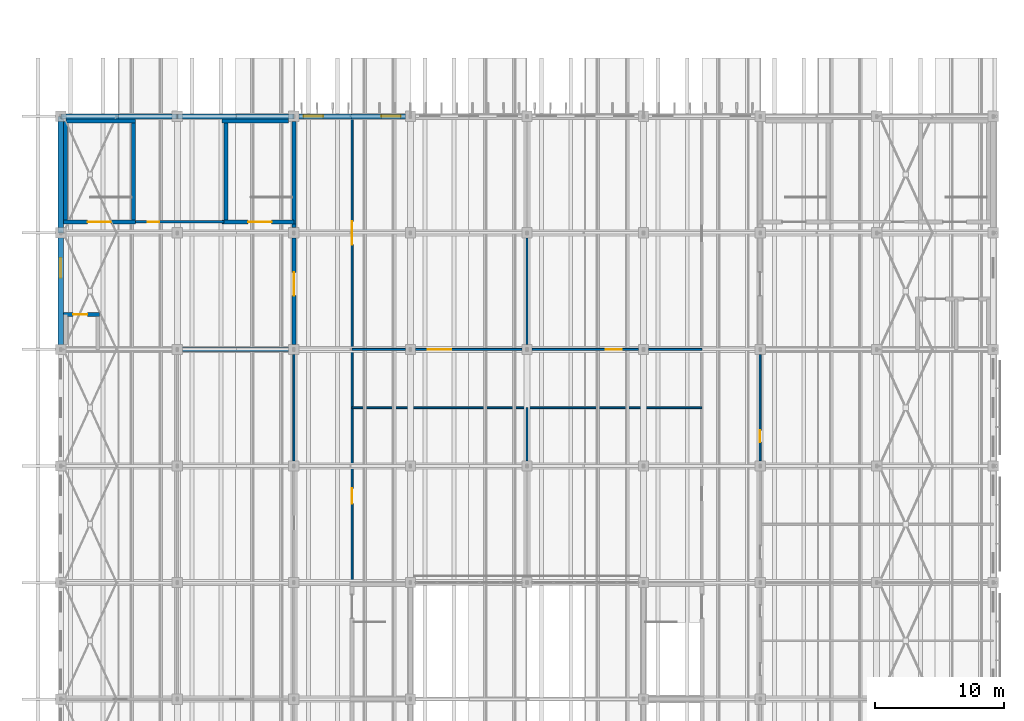
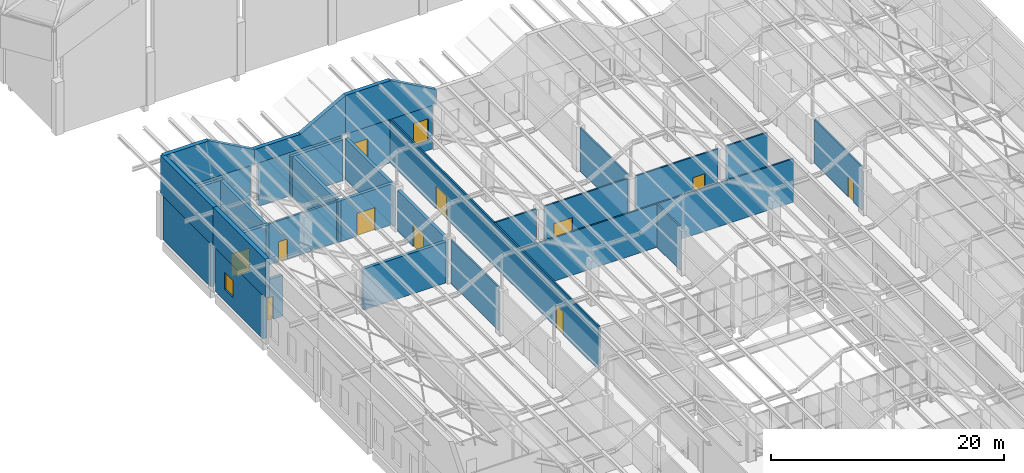
# One storey, part 268 of 437: 33 walls, 10 doors, 3 windows, 13 openings.
"""IFC4 building model written with IfcOpenShell, lengths in metres."""

from ifc_helpers import new_model, si_unit, direction, frame, frame_2d, origin, place, context, subcontext, project, spatial, polyline, rectangle, outline, extrude, material, layer, layer_set, type_object, element, fill, save


model = new_model("IFC4")

# Units and contexts
model_context = context("Model", 3, precision=1e-05, world=origin(), true_north=direction((0.0, 1.0)))
body_context = subcontext(model_context, "Body", "Model", "MODEL_VIEW")
ifc_project = project(units=[si_unit("LENGTHUNIT", "METRE"), si_unit("AREAUNIT", "SQUARE_METRE"), si_unit("VOLUMEUNIT", "CUBIC_METRE"), si_unit("PLANEANGLEUNIT", "RADIAN"), si_unit("MASSUNIT", "GRAM", prefix="KILO")], contexts=[model_context])

# Site, building, storey
site_placement = place(None, origin())
site = spatial("IfcSite", under=ifc_project, at=site_placement, CompositionType="ELEMENT")
building_placement = place(site_placement, origin())
building = spatial("IfcBuilding", under=site, at=building_placement, Name="Opaline Strait Convention Centre", CompositionType="ELEMENT")
storey_placement = place(building_placement, frame((0.0, 0.0, 11.5)))
storey = spatial("IfcBuildingStorey", under=building, at=storey_placement, Name="L02", CompositionType="ELEMENT", Elevation=11.5)

# Wall, opening, door
ifc_material_1 = material(Name="Gypsum board on metal studs with mineral wool")
ifc_layer_1 = layer(ifc_material_1, 0.199951171875)
ifc_layer_set_1 = layer_set([ifc_layer_1], Name="Gypsum board on metal studs with mineral wool")
wall_type_1 = type_object("IfcWallType", Name="Fire partition 200", PredefinedType="PARTITIONING", material=ifc_layer_set_1)
wall_1_placement = place(storey_placement, frame((14.75, 90.85009765625, 0.0), z_axis=(0.0, 0.0, 1.0), x_axis=(1.0, 0.0, 0.0)))
wall_1 = element("IfcWall", 1, at=wall_1_placement, inside=storey, type_object=wall_type_1, Name="NW core STORE-N wall", PredefinedType="PARTITIONING", context=body_context, shape_type="SweptSolid", body=[
    extrude(rectangle(XDim=6.85009765625, YDim=0.199951171875, at=frame_2d((3.425048828125, 0.0))), origin(), (0.0, 0.0, 1.0), 4.300048828125),
])
opening_1_placement = place(wall_1_placement, frame((0.949951171875, 0.0, 0.0)))
opening_1 = element("IfcOpeningElement", 2, at=opening_1_placement, cuts=wall_1, Name="Opening R2-014", PredefinedType="OPENING", context=body_context, shape_type="SweptSolid", body=[
    extrude(rectangle(XDim=0.89990234375, YDim=2.10009765625, at=frame_2d((0.449951171875, 1.050048828125))), frame((0.0, 0.10986328125, 0.0), z_axis=(0.0, -1.0, 0.0), x_axis=(1.0, 0.0, 0.0)), (0.0, 0.0, 1.0), 0.219970703125),
])
ifc_material_2 = material(Name="Galvanised steel door leaf", Category="steel")
door_type_1 = type_object("IfcDoorType", Name="Services store door 900x2100 FD60", OperationType="SINGLE_SWING_LEFT", PredefinedType="DOOR", material=ifc_material_2)
door_1_placement = place(opening_1_placement, frame((0.89990234375, 0.0, 0.0), z_axis=(0.0, 0.0, 1.0), x_axis=(-1.0, 0.0, 0.0)))
door_1 = element("IfcDoor", 3, at=door_1_placement, inside=storey, type_object=door_type_1, Name="Services store door NW R2-014", ObjectType="RD8", OperationType="SINGLE_SWING_LEFT", OverallHeight=2.10009765625, OverallWidth=0.89990234375, PredefinedType="DOOR", context=body_context, shape_type="SweptSolid", body=[
    extrude(rectangle(XDim=0.89990234375, YDim=2.10009765625, at=frame_2d((0.449951171875, 1.050048828125))), frame((0.0, 0.02490234375, 0.0), z_axis=(0.0, -1.0, 0.0), x_axis=(1.0, 0.0, 0.0)), (0.0, 0.0, 1.0), 0.050048828125),
])
fill(opening_1, door_1)

# Walls
ifc_layer_2 = layer(ifc_material_1, 0.14990234375)
ifc_layer_set_2 = layer_set([ifc_layer_2], Name="Gypsum board on metal studs with mineral wool")
wall_type_2 = type_object("IfcWallType", Name="Partition 150", PredefinedType="PARTITIONING", material=ifc_layer_set_2)
wall_2_placement = place(storey_placement, frame((31.5, 76.5, 0.0), z_axis=(0.0, 0.0, 1.0), x_axis=(1.0, 0.0, 0.0)))
element("IfcWall", 4, at=wall_2_placement, inside=storey, type_object=wall_type_2, Name="L02 partition", PredefinedType="PARTITIONING", context=body_context, shape_type="SweptSolid", body=[
    extrude(rectangle(XDim=27.0, YDim=0.14990234375, at=frame_2d((13.5, 0.0))), origin(), (0.0, 0.0, 1.0), 4.550048828125),
])
wall_3_placement = place(storey_placement, frame((31.5, 81.0, 0.0), z_axis=(0.0, 0.0, 1.0), x_axis=(1.0, 0.0, 0.0)))
element("IfcWall", 5, at=wall_3_placement, inside=storey, type_object=wall_type_2, Name="L02 partition", PredefinedType="PARTITIONING", context=body_context, shape_type="SweptSolid", body=[
    extrude(rectangle(XDim=4.10009765625, YDim=0.14990234375, at=frame_2d((2.050048828125, 0.0))), origin(), (0.0, 0.0, 1.0), 4.550048828125),
])

# Wall, opening, door
wall_4_placement = place(storey_placement, frame((36.39990234375, 81.0, 0.0), z_axis=(0.0, 0.0, 1.0), x_axis=(1.0, 0.0, 0.0)))
wall_4 = element("IfcWall", 6, at=wall_4_placement, inside=storey, type_object=wall_type_2, Name="L02 partition", PredefinedType="PARTITIONING", context=body_context, shape_type="SweptSolid", body=[
    extrude(rectangle(XDim=8.2001953125, YDim=0.14990234375, at=frame_2d((4.10009765625, 0.0))), origin(), (0.0, 0.0, 1.0), 4.550048828125),
])
opening_2_placement = place(wall_4_placement, frame((0.949951171875, 0.0, 0.0)))
opening_2 = element("IfcOpeningElement", 7, at=opening_2_placement, cuts=wall_4, Name="Opening R2-037", PredefinedType="OPENING", context=body_context, shape_type="SweptSolid", body=[
    extrude(rectangle(XDim=1.800048828125, YDim=2.39990234375, at=frame_2d((0.89990234375, 1.199951171875))), frame((0.0, 0.0849609375, 0.0), z_axis=(0.0, -1.0, 0.0), x_axis=(1.0, 0.0, 0.0)), (0.0, 0.0, 1.0), 0.169921875),
])
ifc_material_3 = material(Name="Timber door leaves in steel frame", Category="steel")
door_type_2 = type_object("IfcDoorType", Name="Door 1800x2400 double FD30", OperationType="DOUBLE_DOOR_SINGLE_SWING", PredefinedType="DOOR", material=ifc_material_3)
door_2_placement = place(opening_2_placement, frame((1.800048828125, 0.0, 0.0), z_axis=(0.0, 0.0, 1.0), x_axis=(-1.0, 0.0, 0.0)))
door_2 = element("IfcDoor", 8, at=door_2_placement, inside=storey, type_object=door_type_2, Name="Business Centre Lounge door R2-037", ObjectType="RD2", OperationType="DOUBLE_DOOR_SINGLE_SWING", OverallHeight=2.39990234375, OverallWidth=1.800048828125, PredefinedType="DOOR", context=body_context, shape_type="SweptSolid", body=[
    extrude(rectangle(XDim=1.800048828125, YDim=2.39990234375, at=frame_2d((0.89990234375, 1.199951171875))), frame((0.0, 0.02490234375, 0.0), z_axis=(0.0, -1.0, 0.0), x_axis=(1.0, 0.0, 0.0)), (0.0, 0.0, 1.0), 0.050048828125),
])
fill(opening_2, door_2)

wall_5_placement = place(storey_placement, frame((45.39990234375, 81.0, 0.0), z_axis=(0.0, 0.0, 1.0), x_axis=(1.0, 0.0, 0.0)))
wall_5 = element("IfcWall", 9, at=wall_5_placement, inside=storey, type_object=wall_type_2, Name="L02 partition", PredefinedType="PARTITIONING", context=body_context, shape_type="SweptSolid", body=[
    extrude(rectangle(XDim=8.2001953125, YDim=0.14990234375, at=frame_2d((4.10009765625, 0.0))), origin(), (0.0, 0.0, 1.0), 4.550048828125),
])
opening_3_placement = place(wall_5_placement, frame((5.699951171875, 0.0, 0.0)))
opening_3 = element("IfcOpeningElement", 10, at=opening_3_placement, cuts=wall_5, Name="Opening R2-039", PredefinedType="OPENING", context=body_context, shape_type="SweptSolid", body=[
    extrude(rectangle(XDim=1.199951171875, YDim=2.39990234375, at=frame_2d((0.60009765625, 1.199951171875))), frame((0.0, 0.0849609375, 0.0), z_axis=(0.0, -1.0, 0.0), x_axis=(1.0, 0.0, 0.0)), (0.0, 0.0, 1.0), 0.169921875),
])
ifc_material_4 = material(Name="Timber door leaf in steel frame", Category="steel")
door_type_3 = type_object("IfcDoorType", Name="Meeting room door 1200x2400 FD30", OperationType="SINGLE_SWING_LEFT", PredefinedType="DOOR", material=ifc_material_4)
door_3_placement = place(opening_3_placement, frame((1.199951171875, 0.0, 0.0), z_axis=(0.0, 0.0, 1.0), x_axis=(-1.0, 0.0, 0.0)))
door_3 = element("IfcDoor", 11, at=door_3_placement, inside=storey, type_object=door_type_3, Name="Meeting Suite 2.03 door R2-039", ObjectType="RD14", OperationType="SINGLE_SWING_LEFT", OverallHeight=2.39990234375, OverallWidth=1.199951171875, PredefinedType="DOOR", context=body_context, shape_type="SweptSolid", body=[
    extrude(rectangle(XDim=1.199951171875, YDim=2.39990234375, at=frame_2d((0.60009765625, 1.199951171875))), frame((0.0, 0.02490234375, 0.0), z_axis=(0.0, -1.0, 0.0), x_axis=(1.0, 0.0, 0.0)), (0.0, 0.0, 1.0), 0.050048828125),
])
fill(opening_3, door_3)

# Walls
wall_6_placement = place(storey_placement, frame((54.39990234375, 81.0, 0.0), z_axis=(0.0, 0.0, 1.0), x_axis=(1.0, 0.0, 0.0)))
element("IfcWall", 12, at=wall_6_placement, inside=storey, type_object=wall_type_2, Name="L02 partition", PredefinedType="PARTITIONING", context=body_context, shape_type="SweptSolid", body=[
    extrude(rectangle(XDim=4.10009765625, YDim=0.14990234375, at=frame_2d((2.050048828125, 0.0))), origin(), (0.0, 0.0, 1.0), 4.550048828125),
])
wall_7_placement = place(storey_placement, frame((27.0, 72.39990234375, 0.0), z_axis=(0.0, 0.0, 1.0), x_axis=(0.0, 1.0, 0.0)))
element("IfcWall", 13, at=wall_7_placement, inside=storey, type_object=wall_type_2, Name="L02 partition", PredefinedType="PARTITIONING", context=body_context, shape_type="SweptSolid", body=[
    extrude(rectangle(XDim=8.2001953125, YDim=0.14990234375, at=frame_2d((4.10009765625, 0.0))), origin(), (0.0, 0.0, 1.0), 4.550048828125),
])

# Wall, openings, doors
wall_8_placement = place(storey_placement, frame((31.5, 63.0, 0.0), z_axis=(0.0, 0.0, 1.0), x_axis=(0.0, 1.0, 0.0)))
wall_8 = element("IfcWall", 14, at=wall_8_placement, inside=storey, type_object=wall_type_2, Name="L02 partition", PredefinedType="PARTITIONING", context=body_context, shape_type="SweptSolid", body=[
    extrude(rectangle(XDim=36.0, YDim=0.14990234375, at=frame_2d((18.0, 0.0))), origin(), (0.0, 0.0, 1.0), 4.550048828125),
])
opening_4_placement = place(wall_8_placement, frame((6.10009765625, 0.0, 0.0)))
opening_4 = element("IfcOpeningElement", 15, at=opening_4_placement, cuts=wall_8, Name="Opening R2-034", PredefinedType="OPENING", context=body_context, shape_type="SweptSolid", body=[
    extrude(rectangle(XDim=1.199951171875, YDim=2.39990234375, at=frame_2d((0.60009765625, 1.199951171875))), frame((0.0, 0.0849609375, 0.0), z_axis=(0.0, -1.0, 0.0), x_axis=(1.0, 0.0, 0.0)), (0.0, 0.0, 1.0), 0.169921875),
])
opening_5_placement = place(wall_8_placement, frame((26.10009765625, 0.0, 0.0)))
opening_5 = element("IfcOpeningElement", 16, at=opening_5_placement, cuts=wall_8, Name="Opening R2-036", PredefinedType="OPENING", context=body_context, shape_type="SweptSolid", body=[
    extrude(rectangle(XDim=1.800048828125, YDim=2.39990234375, at=frame_2d((0.89990234375, 1.199951171875))), frame((0.0, 0.0849609375, 0.0), z_axis=(0.0, -1.0, 0.0), x_axis=(1.0, 0.0, 0.0)), (0.0, 0.0, 1.0), 0.169921875),
])
door_4_placement = place(opening_5_placement, origin())
door_4 = element("IfcDoor", 17, at=door_4_placement, inside=storey, type_object=door_type_2, Name="Business Centre Lounge door R2-036", ObjectType="RD2", OperationType="DOUBLE_DOOR_SINGLE_SWING", OverallHeight=2.39990234375, OverallWidth=1.800048828125, PredefinedType="DOOR", context=body_context, shape_type="SweptSolid", body=[
    extrude(rectangle(XDim=1.800048828125, YDim=2.39990234375, at=frame_2d((0.89990234375, 1.199951171875))), frame((0.0, 0.02490234375, 0.0), z_axis=(0.0, -1.0, 0.0), x_axis=(1.0, 0.0, 0.0)), (0.0, 0.0, 1.0), 0.050048828125),
])
fill(opening_5, door_4)
door_5_placement = place(opening_4_placement, origin())
door_5 = element("IfcDoor", 18, at=door_5_placement, inside=storey, type_object=door_type_3, Name="Press Centre door R2-034", ObjectType="RD14", OperationType="SINGLE_SWING_LEFT", OverallHeight=2.39990234375, OverallWidth=1.199951171875, PredefinedType="DOOR", context=body_context, shape_type="SweptSolid", body=[
    extrude(rectangle(XDim=1.199951171875, YDim=2.39990234375, at=frame_2d((0.60009765625, 1.199951171875))), frame((0.0, 0.02490234375, 0.0), z_axis=(0.0, -1.0, 0.0), x_axis=(1.0, 0.0, 0.0)), (0.0, 0.0, 1.0), 0.050048828125),
])
fill(opening_4, door_5)

# Walls
wall_9_placement = place(storey_placement, frame((45.0, 72.39990234375, 0.0), z_axis=(0.0, 0.0, 1.0), x_axis=(0.0, 1.0, 0.0)))
element("IfcWall", 19, at=wall_9_placement, inside=storey, type_object=wall_type_2, Name="L02 partition", PredefinedType="PARTITIONING", context=body_context, shape_type="SweptSolid", body=[
    extrude(rectangle(XDim=4.10009765625, YDim=0.14990234375, at=frame_2d((2.050048828125, 0.0))), origin(), (0.0, 0.0, 1.0), 4.550048828125),
])
wall_10_placement = place(storey_placement, frame((45.0, 81.39990234375, 0.0), z_axis=(0.0, 0.0, 1.0), x_axis=(0.0, 1.0, 0.0)))
element("IfcWall", 20, at=wall_10_placement, inside=storey, type_object=wall_type_2, Name="L02 partition", PredefinedType="PARTITIONING", context=body_context, shape_type="SweptSolid", body=[
    extrude(rectangle(XDim=8.2001953125, YDim=0.14990234375, at=frame_2d((4.10009765625, 0.0))), origin(), (0.0, 0.0, 1.0), 4.550048828125),
])

# Wall, opening, door
wall_11_placement = place(storey_placement, frame((63.0, 72.39990234375, 0.0), z_axis=(0.0, 0.0, 1.0), x_axis=(0.0, 1.0, 0.0)))
wall_11 = element("IfcWall", 21, at=wall_11_placement, inside=storey, type_object=wall_type_2, Name="L02 partition", PredefinedType="PARTITIONING", context=body_context, shape_type="SweptSolid", body=[
    extrude(rectangle(XDim=8.2001953125, YDim=0.14990234375, at=frame_2d((4.10009765625, 0.0))), origin(), (0.0, 0.0, 1.0), 4.550048828125),
])
opening_6_placement = place(wall_11_placement, frame((1.449951171875, 0.0, 0.0)))
opening_6 = element("IfcOpeningElement", 22, at=opening_6_placement, cuts=wall_11, Name="Opening R2-052", PredefinedType="OPENING", context=body_context, shape_type="SweptSolid", body=[
    extrude(rectangle(XDim=0.89990234375, YDim=2.10009765625, at=frame_2d((0.449951171875, 1.050048828125))), frame((0.0, 0.0849609375, 0.0), z_axis=(0.0, -1.0, 0.0), x_axis=(1.0, 0.0, 0.0)), (0.0, 0.0, 1.0), 0.169921875),
])
door_type_4 = type_object("IfcDoorType", Name="Store door 900x2100 FD30", OperationType="SINGLE_SWING_LEFT", PredefinedType="DOOR", material=ifc_material_4)
door_6_placement = place(opening_6_placement, origin())
door_6 = element("IfcDoor", 23, at=door_6_placement, inside=storey, type_object=door_type_4, Name="Business Centre Store door R2-052", ObjectType="RD5", OperationType="SINGLE_SWING_LEFT", OverallHeight=2.10009765625, OverallWidth=0.89990234375, PredefinedType="DOOR", context=body_context, shape_type="SweptSolid", body=[
    extrude(rectangle(XDim=0.89990234375, YDim=2.10009765625, at=frame_2d((0.449951171875, 1.050048828125))), frame((0.0, 0.02490234375, 0.0), z_axis=(0.0, -1.0, 0.0), x_axis=(1.0, 0.0, 0.0)), (0.0, 0.0, 1.0), 0.050048828125),
])
fill(opening_6, door_6)

# Wall
ifc_material_5 = material(Name="Concrete C40", Category="concrete")
ifc_layer_3 = layer(ifc_material_5, 0.300048828125)
ifc_layer_set_3 = layer_set([ifc_layer_3], Name="Concrete C40")
wall_type_3 = type_object("IfcWallType", Name="RC wall 300 C40", PredefinedType="SOLIDWALL", material=ifc_layer_set_3)
wall_12_placement = place(storey_placement, frame((9.39990234375, 98.64990234375, 0.0), z_axis=(0.0, 0.0, 1.0), x_axis=(1.0, 0.0, 0.0)))
element("IfcWall", 24, at=wall_12_placement, inside=storey, type_object=wall_type_3, Name="NW core STA-S wall", PredefinedType="SOLIDWALL", context=body_context, shape_type="SweptSolid", body=[
    extrude(rectangle(XDim=5.35009765625, YDim=0.300048828125, at=frame_2d((2.675048828125, 0.0))), origin(), (0.0, 0.0, 1.0), 4.300048828125),
])

# Wall, opening, door
wall_13_placement = place(storey_placement, frame((9.199951171875, 90.85009765625, 0.0), z_axis=(0.0, 0.0, 1.0), x_axis=(1.0, 0.0, 0.0)))
wall_13 = element("IfcWall", 25, at=wall_13_placement, inside=storey, type_object=wall_type_3, Name="NW core STA-N wall", PredefinedType="SOLIDWALL", context=body_context, shape_type="SweptSolid", body=[
    extrude(rectangle(XDim=5.550048828125, YDim=0.300048828125, at=frame_2d((2.77490234375, 0.0))), origin(), (0.0, 0.0, 1.0), 4.300048828125),
])
opening_7_placement = place(wall_13_placement, frame((1.875, 0.0, 0.0)))
opening_7 = element("IfcOpeningElement", 26, at=opening_7_placement, cuts=wall_13, Name="Opening R2-012", PredefinedType="OPENING", context=body_context, shape_type="SweptSolid", body=[
    extrude(rectangle(XDim=1.800048828125, YDim=2.39990234375, at=frame_2d((0.89990234375, 1.199951171875))), frame((0.0, 0.159912109375, 0.0), z_axis=(0.0, -1.0, 0.0), x_axis=(1.0, 0.0, 0.0)), (0.0, 0.0, 1.0), 0.320068359375),
])
door_type_5 = type_object("IfcDoorType", Name="Stair door 1800x2400 double FD60", OperationType="DOUBLE_DOOR_SINGLE_SWING", PredefinedType="DOOR", material=ifc_material_3)
door_7_placement = place(opening_7_placement, frame((1.800048828125, 0.0, 0.0), z_axis=(0.0, 0.0, 1.0), x_axis=(-1.0, 0.0, 0.0)))
door_7 = element("IfcDoor", 27, at=door_7_placement, inside=storey, type_object=door_type_5, Name="Stair door NWA R2-012", ObjectType="RD7", OperationType="DOUBLE_DOOR_SINGLE_SWING", OverallHeight=2.39990234375, OverallWidth=1.800048828125, PredefinedType="DOOR", context=body_context, shape_type="SweptSolid", body=[
    extrude(rectangle(XDim=1.800048828125, YDim=2.39990234375, at=frame_2d((0.89990234375, 1.199951171875))), frame((0.0, 0.02490234375, 0.0), z_axis=(0.0, -1.0, 0.0), x_axis=(1.0, 0.0, 0.0)), (0.0, 0.0, 1.0), 0.050048828125),
])
fill(opening_7, door_7)

# Walls
wall_14_placement = place(storey_placement, frame((9.35009765625, 98.60009765625, 0.0), z_axis=(0.0, 0.0, 1.0), x_axis=(0.0, -1.0, 0.0)))
element("IfcWall", 28, at=wall_14_placement, inside=storey, type_object=wall_type_3, Name="NW core STA-W wall", PredefinedType="SOLIDWALL", context=body_context, shape_type="SweptSolid", body=[
    extrude(rectangle(XDim=7.900146484375, YDim=0.300048828125, at=frame_2d((3.9501953125, 0.0))), origin(), (0.0, 0.0, 1.0), 4.300048828125),
])
wall_15_placement = place(storey_placement, frame((14.60009765625, 98.800048828125, 0.0), z_axis=(0.0, 0.0, 1.0), x_axis=(0.0, -1.0, 0.0)))
element("IfcWall", 29, at=wall_15_placement, inside=storey, type_object=wall_type_3, Name="NW core STA-E wall", PredefinedType="SOLIDWALL", context=body_context, shape_type="SweptSolid", body=[
    extrude(rectangle(XDim=8.10009765625, YDim=0.300048828125, at=frame_2d((4.050048828125, 0.0))), origin(), (0.0, 0.0, 1.0), 4.300048828125),
])
wall_16_placement = place(storey_placement, frame((21.449951171875, 98.64990234375, 0.0), z_axis=(0.0, 0.0, 1.0), x_axis=(1.0, 0.0, 0.0)))
element("IfcWall", 30, at=wall_16_placement, inside=storey, type_object=wall_type_3, Name="NW core STB-S wall", PredefinedType="SOLIDWALL", context=body_context, shape_type="SweptSolid", body=[
    extrude(rectangle(XDim=5.150146484375, YDim=0.300048828125, at=frame_2d((2.5751953125, 0.0))), origin(), (0.0, 0.0, 1.0), 4.300048828125),
])

# Wall, opening, door
wall_17_placement = place(storey_placement, frame((21.449951171875, 90.85009765625, 0.0), z_axis=(0.0, 0.0, 1.0), x_axis=(1.0, 0.0, 0.0)))
wall_17 = element("IfcWall", 31, at=wall_17_placement, inside=storey, type_object=wall_type_3, Name="NW core STB-N wall", PredefinedType="SOLIDWALL", context=body_context, shape_type="SweptSolid", body=[
    extrude(rectangle(XDim=5.550048828125, YDim=0.300048828125, at=frame_2d((2.77490234375, 0.0))), origin(), (0.0, 0.0, 1.0), 4.300048828125),
])
opening_8_placement = place(wall_17_placement, frame((2.02490234375, 0.0, 0.0)))
opening_8 = element("IfcOpeningElement", 32, at=opening_8_placement, cuts=wall_17, Name="Opening R2-013", PredefinedType="OPENING", context=body_context, shape_type="SweptSolid", body=[
    extrude(rectangle(XDim=1.800048828125, YDim=2.39990234375, at=frame_2d((0.89990234375, 1.199951171875))), frame((0.0, 0.159912109375, 0.0), z_axis=(0.0, -1.0, 0.0), x_axis=(1.0, 0.0, 0.0)), (0.0, 0.0, 1.0), 0.320068359375),
])
door_8_placement = place(opening_8_placement, frame((1.800048828125, 0.0, 0.0), z_axis=(0.0, 0.0, 1.0), x_axis=(-1.0, 0.0, 0.0)))
door_8 = element("IfcDoor", 33, at=door_8_placement, inside=storey, type_object=door_type_5, Name="Stair door NWB R2-013", ObjectType="RD7", OperationType="DOUBLE_DOOR_SINGLE_SWING", OverallHeight=2.39990234375, OverallWidth=1.800048828125, PredefinedType="DOOR", context=body_context, shape_type="SweptSolid", body=[
    extrude(rectangle(XDim=1.800048828125, YDim=2.39990234375, at=frame_2d((0.89990234375, 1.199951171875))), frame((0.0, 0.02490234375, 0.0), z_axis=(0.0, -1.0, 0.0), x_axis=(1.0, 0.0, 0.0)), (0.0, 0.0, 1.0), 0.050048828125),
])
fill(opening_8, door_8)

# Walls
wall_18_placement = place(storey_placement, frame((21.75, 98.800048828125, 0.0), z_axis=(0.0, 0.0, 1.0), x_axis=(0.0, -1.0, 0.0)))
element("IfcWall", 34, at=wall_18_placement, inside=storey, type_object=wall_type_3, Name="NW core STB-W wall", PredefinedType="SOLIDWALL", context=body_context, shape_type="SweptSolid", body=[
    extrude(rectangle(XDim=8.10009765625, YDim=0.300048828125, at=frame_2d((4.050048828125, 0.0))), origin(), (0.0, 0.0, 1.0), 4.300048828125),
])
wall_19_placement = place(storey_placement, frame((27.0, 98.60009765625, 0.0), z_axis=(0.0, 0.0, 1.0), x_axis=(0.0, -1.0, 0.0)))
element("IfcWall", 35, at=wall_19_placement, inside=storey, type_object=wall_type_3, Name="NW core STB-E wall", PredefinedType="SOLIDWALL", context=body_context, shape_type="SweptSolid", body=[
    extrude(rectangle(XDim=7.900146484375, YDim=0.300048828125, at=frame_2d((3.9501953125, 0.0))), origin(), (0.0, 0.0, 1.0), 4.300048828125),
])
wall_20_placement = place(storey_placement, frame((18.39990234375, 81.0, 0.0), z_axis=(0.0, 0.0, 1.0), x_axis=(1.0, 0.0, 0.0)))
element("IfcWall", 36, at=wall_20_placement, inside=storey, type_object=wall_type_3, Name="NW core BND-N wall", PredefinedType="SOLIDWALL", context=body_context, shape_type="SweptSolid", body=[
    extrude(rectangle(XDim=8.2001953125, YDim=0.300048828125, at=frame_2d((4.10009765625, 0.0))), origin(), (0.0, 0.0, 1.0), 4.300048828125),
])

# Wall, opening, door
wall_21_placement = place(storey_placement, frame((27.0, 89.60009765625, 0.0), z_axis=(0.0, 0.0, 1.0), x_axis=(0.0, -1.0, 0.0)))
wall_21 = element("IfcWall", 37, at=wall_21_placement, inside=storey, type_object=wall_type_3, Name="NW core BND-E wall", PredefinedType="SOLIDWALL", context=body_context, shape_type="SweptSolid", body=[
    extrude(rectangle(XDim=8.2001953125, YDim=0.300048828125, at=frame_2d((4.10009765625, 0.0))), origin(), (0.0, 0.0, 1.0), 4.300048828125),
])
opening_9_placement = place(wall_21_placement, frame((2.64990234375, 0.0, 0.0)))
opening_9 = element("IfcOpeningElement", 38, at=opening_9_placement, cuts=wall_21, Name="Opening R2-015", PredefinedType="OPENING", context=body_context, shape_type="SweptSolid", body=[
    extrude(rectangle(XDim=1.800048828125, YDim=2.39990234375, at=frame_2d((0.89990234375, 1.199951171875))), frame((0.0, 0.159912109375, 0.0), z_axis=(0.0, -1.0, 0.0), x_axis=(1.0, 0.0, 0.0)), (0.0, 0.0, 1.0), 0.320068359375),
])
door_type_6 = type_object("IfcDoorType", Name="Door 1800x2400 double FD60", OperationType="DOUBLE_DOOR_SINGLE_SWING", PredefinedType="DOOR", material=ifc_material_3)
door_9_placement = place(opening_9_placement, origin())
door_9 = element("IfcDoor", 39, at=door_9_placement, inside=storey, type_object=door_type_6, Name="Core lobby door NW R2-015", ObjectType="RD9", OperationType="DOUBLE_DOOR_SINGLE_SWING", OverallHeight=2.39990234375, OverallWidth=1.800048828125, PredefinedType="DOOR", context=body_context, shape_type="SweptSolid", body=[
    extrude(rectangle(XDim=1.800048828125, YDim=2.39990234375, at=frame_2d((0.89990234375, 1.199951171875))), frame((0.0, 0.02490234375, 0.0), z_axis=(0.0, -1.0, 0.0), x_axis=(1.0, 0.0, 0.0)), (0.0, 0.0, 1.0), 0.050048828125),
])
fill(opening_9, door_9)

# Wall
wall_22_placement = place(storey_placement, frame((27.0, 90.699951171875, 0.0), z_axis=(0.0, 0.0, 1.0), x_axis=(0.0, -1.0, 0.0)))
element("IfcWall", 40, at=wall_22_placement, inside=storey, type_object=wall_type_3, Name="NW core BND-E wall", PredefinedType="SOLIDWALL", context=body_context, shape_type="SweptSolid", body=[
    extrude(rectangle(XDim=0.300048828125, YDim=0.300048828125, at=frame_2d((0.14990234375, 0.0))), origin(), (0.0, 0.0, 1.0), 4.300048828125),
])

# Wall, opening, door
wall_23_placement = place(storey_placement, frame((9.199951171875, 83.699951171875, 0.0), z_axis=(0.0, 0.0, 1.0), x_axis=(1.0, 0.0, 0.0)))
wall_23 = element("IfcWall", 41, at=wall_23_placement, inside=storey, type_object=wall_type_3, Name="NW core LIFT-S wall", PredefinedType="SOLIDWALL", context=body_context, shape_type="SweptSolid", body=[
    extrude(rectangle(XDim=2.800048828125, YDim=0.300048828125, at=frame_2d((1.39990234375, 0.0))), origin(), (0.0, 0.0, 1.0), 4.300048828125),
])
opening_10_placement = place(wall_23_placement, frame((0.75, 0.0, 0.0)))
opening_10 = element("IfcOpeningElement", 42, at=opening_10_placement, cuts=wall_23, Name="Opening R2-016", PredefinedType="OPENING", context=body_context, shape_type="SweptSolid", body=[
    extrude(rectangle(XDim=1.10009765625, YDim=2.39990234375, at=frame_2d((0.550048828125, 1.199951171875))), frame((0.0, 0.159912109375, 0.0), z_axis=(0.0, -1.0, 0.0), x_axis=(1.0, 0.0, 0.0)), (0.0, 0.0, 1.0), 0.320068359375),
])
ifc_material_6 = material(Name="Stainless steel 304 door leaves", Category="steel")
door_type_7 = type_object("IfcDoorType", Name="Lift landing door 1100x2400 sliding FD60", OperationType="SLIDING_TO_LEFT", PredefinedType="DOOR", material=ifc_material_6)
door_10_placement = place(opening_10_placement, origin())
door_10 = element("IfcDoor", 43, at=door_10_placement, inside=storey, type_object=door_type_7, Name="Lift landing door NWP R2-016", ObjectType="LD1", OperationType="SLIDING_TO_LEFT", OverallHeight=2.39990234375, OverallWidth=1.10009765625, PredefinedType="DOOR", context=body_context, shape_type="SweptSolid", body=[
    extrude(rectangle(XDim=1.10009765625, YDim=2.39990234375, at=frame_2d((0.550048828125, 1.199951171875))), frame((0.0, 0.02490234375, 0.0), z_axis=(0.0, -1.0, 0.0), x_axis=(1.0, 0.0, 0.0)), (0.0, 0.0, 1.0), 0.050048828125),
])
fill(opening_10, door_10)

# Walls
ifc_layer_4 = layer(ifc_material_5, 0.320068359375)
ifc_material_7 = material(Name="Mineral wool insulation")
ifc_layer_5 = layer(ifc_material_7, 0.050048828125)
ifc_material_8 = material(Name="Gypsum board lining")
ifc_layer_6 = layer(ifc_material_8, 0.030029296875)
ifc_layer_set_4 = layer_set([ifc_layer_4, ifc_layer_5, ifc_layer_6], Name="Concrete C40, Mineral wool insulation, Gypsum board lining")
wall_type_4 = type_object("IfcWallType", Name="RC wall 400 C40", PredefinedType="SOLIDWALL", material=ifc_layer_set_4)
wall_24_placement = place(storey_placement, frame((9.0, 99.0, 4.550048828125), z_axis=(0.0, 0.0, 1.0), x_axis=(1.0, 0.0, 0.0)))
element("IfcWall", 44, at=wall_24_placement, inside=storey, type_object=wall_type_4, Name="N roof infill wall 1", PredefinedType="SOLIDWALL", context=body_context, shape_type="SweptSolid", body=[
    extrude(outline(polyline([(0.0, 0.0), (9.0, 0.0), (9.0, 1.550048828125), (8.961181640625, 1.550048828125), (4.461181640625, 4.050048828125), (0.0, 4.050048828125), (0.0, 0.0)])), frame((0.0, 0.199951171875, 0.0), z_axis=(0.0, -1.0, 0.0), x_axis=(1.0, 0.0, 0.0)), (0.0, 0.0, 1.0), 0.39990234375),
])
wall_25_placement = place(storey_placement, frame((18.0, 99.0, 4.550048828125), z_axis=(0.0, 0.0, 1.0), x_axis=(1.0, 0.0, 0.0)))
element("IfcWall", 45, at=wall_25_placement, inside=storey, type_object=wall_type_4, Name="N roof infill wall 2", PredefinedType="SOLIDWALL", context=body_context, shape_type="SweptSolid", body=[
    extrude(outline(polyline([(0.0, 0.0), (9.0, 0.0), (9.0, 4.0283203125), (4.538818359375, 1.550048828125), (0.0, 1.550048828125), (0.0, 0.0)])), frame((0.0, 0.199951171875, 0.0), z_axis=(0.0, -1.0, 0.0), x_axis=(1.0, 0.0, 0.0)), (0.0, 0.0, 1.0), 0.39990234375),
])
wall_26_placement = place(storey_placement, frame((27.0, 99.0, 4.550048828125), z_axis=(0.0, 0.0, 1.0), x_axis=(1.0, 0.0, 0.0)))
element("IfcWall", 46, at=wall_26_placement, inside=storey, type_object=wall_type_4, Name="N roof infill wall 3", PredefinedType="SOLIDWALL", context=body_context, shape_type="SweptSolid", body=[
    extrude(outline(polyline([(0.0, 0.0), (9.0, 0.0), (9.0, 1.550048828125), (8.961181640625, 1.550048828125), (4.461181640625, 4.050048828125), (0.038818359375, 4.050048828125), (0.0, 4.0283203125), (0.0, 0.0)])), frame((0.0, 0.199951171875, 0.0), z_axis=(0.0, -1.0, 0.0), x_axis=(1.0, 0.0, 0.0)), (0.0, 0.0, 1.0), 0.39990234375),
])
for number, where, z_axis, x_axis, name in (
    (47, (9.0, 81.0, 4.550048828125), (0.0, 0.0, 1.0), (0.0, 1.0, 0.0), "W roof infill wall 9"),
    (48, (9.0, 90.0, 4.550048828125), (0.0, 0.0, 1.0), (0.0, 1.0, 0.0), "W roof infill wall 10"),
):
    element("IfcWall", number, at=place(storey_placement, frame(where, z_axis=z_axis, x_axis=x_axis)), inside=storey, type_object=wall_type_4, Name=name, PredefinedType="SOLIDWALL", context=body_context, shape_type="SweptSolid", body=[
        extrude(rectangle(XDim=9.0, YDim=0.39990234375, at=frame_2d((4.5, 0.0))), origin(), (0.0, 0.0, 1.0), 4.050048828125),
    ])
for number, where, z_axis, x_axis, name in (
    (49, (9.39990234375, 99.0, 0.0), (0.0, 0.0, 1.0), (1.0, 0.0, 0.0), "L02 N external wall 1"),
    (50, (18.39990234375, 99.0, 0.0), (0.0, 0.0, 1.0), (1.0, 0.0, 0.0), "L02 N external wall 2"),
):
    element("IfcWall", number, at=place(storey_placement, frame(where, z_axis=z_axis, x_axis=x_axis)), inside=storey, type_object=wall_type_4, Name=name, PredefinedType="SOLIDWALL", context=body_context, shape_type="SweptSolid", body=[
        extrude(rectangle(XDim=8.2001953125, YDim=0.39990234375, at=frame_2d((4.10009765625, 0.0))), origin(), (0.0, 0.0, 1.0), 4.550048828125),
    ])

# Wall, openings, windows
wall_27_placement = place(storey_placement, frame((27.39990234375, 99.0, 0.0), z_axis=(0.0, 0.0, 1.0), x_axis=(1.0, 0.0, 0.0)))
wall_27 = element("IfcWall", 51, at=wall_27_placement, inside=storey, type_object=wall_type_4, Name="L02 N external wall 3", PredefinedType="SOLIDWALL", context=body_context, shape_type="SweptSolid", body=[
    extrude(rectangle(XDim=8.2001953125, YDim=0.39990234375, at=frame_2d((4.10009765625, 0.0))), origin(), (0.0, 0.0, 1.0), 4.550048828125),
])
opening_11_placement = place(wall_27_placement, frame((0.35009765625, 0.0, 0.89990234375)))
opening_11 = element("IfcOpeningElement", 52, at=opening_11_placement, cuts=wall_27, Name="Opening RWN2", PredefinedType="OPENING", context=body_context, shape_type="SweptSolid", body=[
    extrude(rectangle(XDim=1.5, YDim=2.39990234375, at=frame_2d((0.75, 1.199951171875))), frame((0.0, 0.2099609375, 0.0), z_axis=(0.0, -1.0, 0.0), x_axis=(1.0, 0.0, 0.0)), (0.0, 0.0, 1.0), 0.419921875),
])
opening_12_placement = place(wall_27_placement, frame((6.35009765625, 0.0, 0.89990234375)))
opening_12 = element("IfcOpeningElement", 53, at=opening_12_placement, cuts=wall_27, Name="Opening RWN2", PredefinedType="OPENING", context=body_context, shape_type="SweptSolid", body=[
    extrude(rectangle(XDim=1.5, YDim=2.39990234375, at=frame_2d((0.75, 1.199951171875))), frame((0.0, 0.2099609375, 0.0), z_axis=(0.0, -1.0, 0.0), x_axis=(1.0, 0.0, 0.0)), (0.0, 0.0, 1.0), 0.419921875),
])
ifc_material_9 = material(Name="Aluminium framed double glazing", Category="aluminium")
window_type_1 = type_object("IfcWindowType", Name="Window 1500x2400 sill 900", PartitioningType="SINGLE_PANEL", PredefinedType="WINDOW", material=ifc_material_9)
window_1_placement = place(opening_11_placement, origin())
window_1 = element("IfcWindow", 54, at=window_1_placement, inside=storey, type_object=window_type_1, Name="Window L02-N3-W1", OverallHeight=2.39990234375, OverallWidth=1.5, PartitioningType="SINGLE_PANEL", PredefinedType="WINDOW", context=body_context, shape_type="SweptSolid", body=[
    extrude(rectangle(XDim=1.5, YDim=2.39990234375, at=frame_2d((0.75, 1.199951171875))), frame((0.0, 0.030029296875, 0.0), z_axis=(0.0, -1.0, 0.0), x_axis=(1.0, 0.0, 0.0)), (0.0, 0.0, 1.0), 0.06005859375),
])
fill(opening_11, window_1)
window_2_placement = place(opening_12_placement, origin())
window_2 = element("IfcWindow", 55, at=window_2_placement, inside=storey, type_object=window_type_1, Name="Window L02-N3-W3", OverallHeight=2.39990234375, OverallWidth=1.5, PartitioningType="SINGLE_PANEL", PredefinedType="WINDOW", context=body_context, shape_type="SweptSolid", body=[
    extrude(rectangle(XDim=1.5, YDim=2.39990234375, at=frame_2d((0.75, 1.199951171875))), frame((0.0, 0.030029296875, 0.0), z_axis=(0.0, -1.0, 0.0), x_axis=(1.0, 0.0, 0.0)), (0.0, 0.0, 1.0), 0.06005859375),
])
fill(opening_12, window_2)

# Wall, opening, window
wall_28_placement = place(storey_placement, frame((9.0, 81.39990234375, 0.0), z_axis=(0.0, 0.0, 1.0), x_axis=(0.0, 1.0, 0.0)))
wall_28 = element("IfcWall", 56, at=wall_28_placement, inside=storey, type_object=wall_type_4, Name="L02 W external wall 9", PredefinedType="SOLIDWALL", context=body_context, shape_type="SweptSolid", body=[
    extrude(rectangle(XDim=8.2001953125, YDim=0.39990234375, at=frame_2d((4.10009765625, 0.0))), origin(), (0.0, 0.0, 1.0), 4.550048828125),
])
opening_13_placement = place(wall_28_placement, frame((5.14990234375, 0.0, 1.199951171875)))
opening_13 = element("IfcOpeningElement", 57, at=opening_13_placement, cuts=wall_28, Name="Opening RWN4", PredefinedType="OPENING", context=body_context, shape_type="SweptSolid", body=[
    extrude(rectangle(XDim=1.5, YDim=1.800048828125, at=frame_2d((0.75, 0.89990234375))), frame((0.0, 0.2099609375, 0.0), z_axis=(0.0, -1.0, 0.0), x_axis=(1.0, 0.0, 0.0)), (0.0, 0.0, 1.0), 0.419921875),
])
window_type_2 = type_object("IfcWindowType", Name="Window 1500x1800 sill 1200", PartitioningType="SINGLE_PANEL", PredefinedType="WINDOW", material=ifc_material_9)
window_3_placement = place(opening_13_placement, origin())
window_3 = element("IfcWindow", 58, at=window_3_placement, inside=storey, type_object=window_type_2, Name="Window L02-W9-W1", OverallHeight=1.800048828125, OverallWidth=1.5, PartitioningType="SINGLE_PANEL", PredefinedType="WINDOW", context=body_context, shape_type="SweptSolid", body=[
    extrude(rectangle(XDim=1.5, YDim=1.800048828125, at=frame_2d((0.75, 0.89990234375))), frame((0.0, 0.030029296875, 0.0), z_axis=(0.0, -1.0, 0.0), x_axis=(1.0, 0.0, 0.0)), (0.0, 0.0, 1.0), 0.06005859375),
])
fill(opening_13, window_3)

# Wall
wall_29_placement = place(storey_placement, frame((9.0, 90.39990234375, 0.0), z_axis=(0.0, 0.0, 1.0), x_axis=(0.0, 1.0, 0.0)))
element("IfcWall", 59, at=wall_29_placement, inside=storey, type_object=wall_type_4, Name="L02 W external wall 10", PredefinedType="SOLIDWALL", context=body_context, shape_type="SweptSolid", body=[
    extrude(rectangle(XDim=8.2001953125, YDim=0.39990234375, at=frame_2d((4.10009765625, 0.0))), origin(), (0.0, 0.0, 1.0), 4.550048828125),
])

save(model, "model.ifc")
